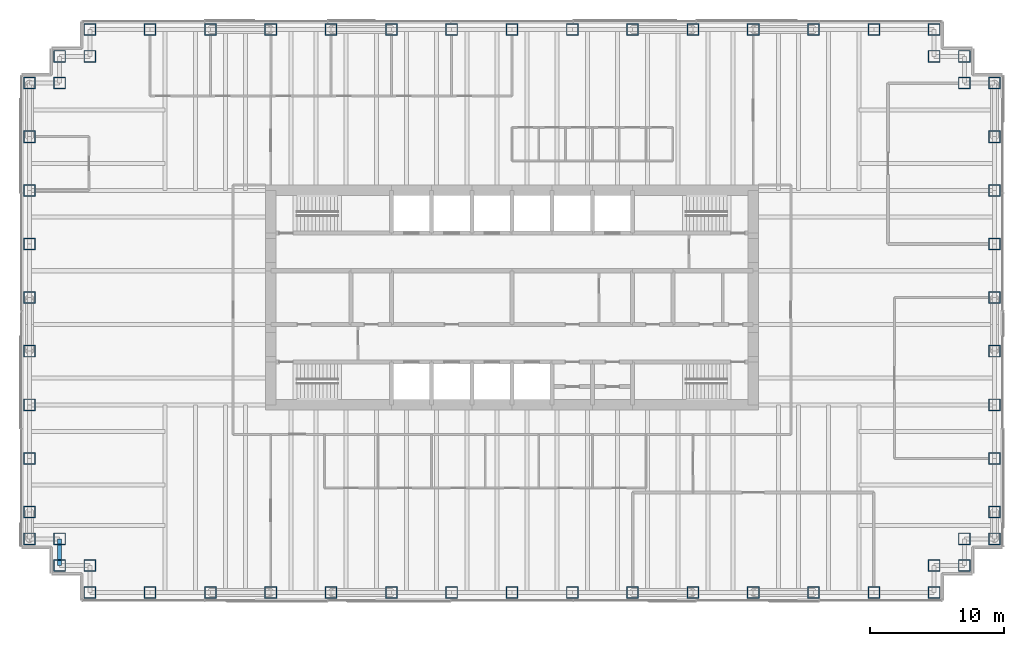
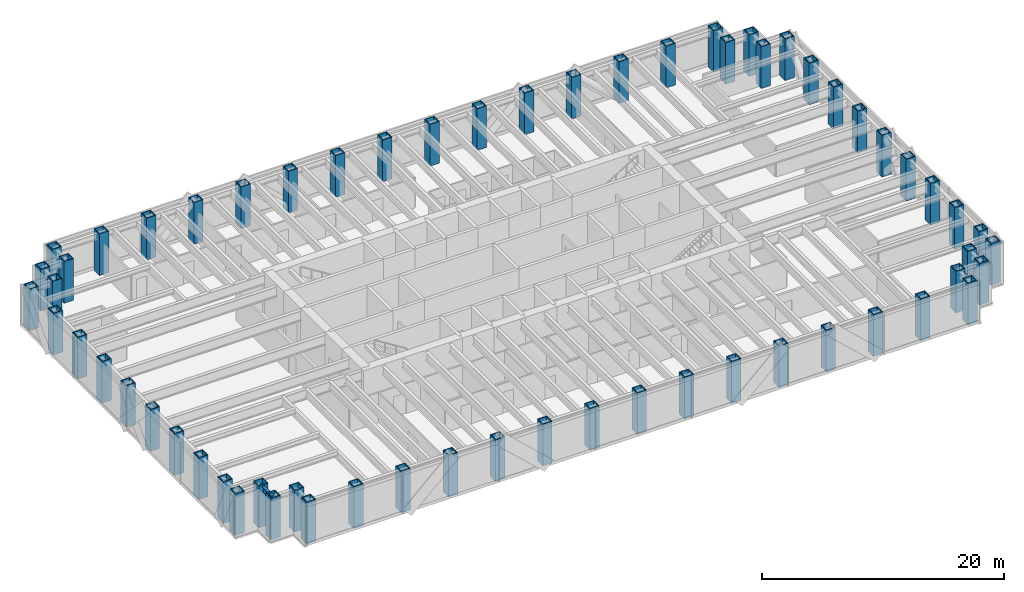
# One storey, part 1 of 14: 62 columns, 1 beam.
"""IFC4 building model written with IfcOpenShell, lengths in metres."""

from ifc_helpers import new_model, si_unit, direction, frame, origin, origin_2d, place, context, subcontext, project, spatial, hollow_rectangle, i_section, extrude, material, material_profile, profile_set, type_object, element, save


model = new_model("IFC4")

# Units and contexts
model_context = context("Model", 3, precision=1e-05, world=origin(), true_north=direction((0.0, 1.0)))
body_context = subcontext(model_context, "Body", "Model", "MODEL_VIEW")
ifc_project = project(units=[si_unit("LENGTHUNIT", "METRE"), si_unit("AREAUNIT", "SQUARE_METRE"), si_unit("VOLUMEUNIT", "CUBIC_METRE"), si_unit("PLANEANGLEUNIT", "RADIAN"), si_unit("MASSUNIT", "GRAM", prefix="KILO")], contexts=[model_context])

# Site, building, storey
site_placement = place(None, origin())
site = spatial("IfcSite", under=ifc_project, at=site_placement, CompositionType="ELEMENT")
building_placement = place(site_placement, origin())
building = spatial("IfcBuilding", under=site, at=building_placement, Name="Rheinbord Bourse Tower", CompositionType="ELEMENT")
storey_placement = place(building_placement, frame((0.0, 0.0, 253.0)))
storey = spatial("IfcBuildingStorey", under=building, at=storey_placement, Name="L57", CompositionType="ELEMENT", Elevation=253.0)

# Columns
ifc_material_1 = material(Name="Steel S460M", Category="steel")
ifc_material_profile_1 = material_profile(ifc_material_1, hollow_rectangle(XDim=0.89990234375, YDim=0.89990234375, WallThickness=0.070068359375, at=origin_2d()), Name="BOX 900x900x70")
ifc_profile_set_1 = profile_set([ifc_material_profile_1], Name="Steel S460M")
column_type = type_object("IfcColumnType", Name="TUBE COLUMN BOX 900x900x70", PredefinedType="COLUMN", material=ifc_profile_set_1)
for number, where, z_axis, x_axis, name in (
    (1, (4.5, 2.0, 0.0), (0.0, 0.0, 1.0), (0.0, 1.0, 0.0), "Column SW-E L57"),
    (2, (9.0, 2.0, 0.0), (0.0, 0.0, 1.0), (0.0, 1.0, 0.0), "Column S-9 L57"),
    (3, (13.5, 2.0, 0.0), (0.0, 0.0, 1.0), (0.0, 1.0, 0.0), "Column S-13.5 L57"),
    (4, (18.0, 2.0, 0.0), (0.0, 0.0, 1.0), (0.0, 1.0, 0.0), "Column S-18 L57"),
    (5, (22.5, 2.0, 0.0), (0.0, 0.0, 1.0), (0.0, 1.0, 0.0), "Column S-22.5 L57"),
    (6, (27.0, 2.0, 0.0), (0.0, 0.0, 1.0), (0.0, 1.0, 0.0), "Column S-27 L57"),
    (7, (31.5, 2.0, 0.0), (0.0, 0.0, 1.0), (0.0, 1.0, 0.0), "Column S-31.5 L57"),
    (8, (36.0, 2.0, 0.0), (0.0, 0.0, 1.0), (0.0, 1.0, 0.0), "Column S-36 L57"),
    (9, (40.5, 2.0, 0.0), (0.0, 0.0, 1.0), (0.0, 1.0, 0.0), "Column S-40.5 L57"),
    (10, (45.0, 2.0, 0.0), (0.0, 0.0, 1.0), (0.0, 1.0, 0.0), "Column S-45 L57"),
    (11, (49.5, 2.0, 0.0), (0.0, 0.0, 1.0), (0.0, 1.0, 0.0), "Column S-49.5 L57"),
    (12, (54.0, 2.0, 0.0), (0.0, 0.0, 1.0), (0.0, 1.0, 0.0), "Column S-54 L57"),
    (13, (58.5, 2.0, 0.0), (0.0, 0.0, 1.0), (0.0, 1.0, 0.0), "Column S-58.5 L57"),
    (14, (63.0, 2.0, 0.0), (0.0, 0.0, 1.0), (0.0, 1.0, 0.0), "Column S-63 L57"),
    (15, (67.5, 2.0, 0.0), (0.0, 0.0, 1.0), (0.0, 1.0, 0.0), "Column SE-E L57"),
    (16, (67.5, 4.0, 0.0), (0.0, 0.0, 1.0), (0.0, 1.0, 0.0), "Column SE-D L57"),
    (17, (69.75, 4.0, 0.0), (0.0, 0.0, 1.0), (1.0, 0.0, 0.0), "Column SE-C L57"),
    (18, (69.75, 6.0, 0.0), (0.0, 0.0, 1.0), (1.0, 0.0, 0.0), "Column SE-B L57"),
    (19, (72.0, 6.0, 0.0), (0.0, 0.0, 1.0), (1.0, 0.0, 0.0), "Column SE-A L57"),
    (20, (72.0, 8.0, 0.0), (0.0, 0.0, 1.0), (1.0, 0.0, 0.0), "Column E-8 L57"),
    (21, (72.0, 12.0, 0.0), (0.0, 0.0, 1.0), (1.0, 0.0, 0.0), "Column E-12 L57"),
    (22, (72.0, 16.0, 0.0), (0.0, 0.0, 1.0), (1.0, 0.0, 0.0), "Column E-16 L57"),
    (23, (72.0, 20.0, 0.0), (0.0, 0.0, 1.0), (1.0, 0.0, 0.0), "Column E-20 L57"),
    (24, (72.0, 24.0, 0.0), (0.0, 0.0, 1.0), (1.0, 0.0, 0.0), "Column E-24 L57"),
    (25, (72.0, 28.0, 0.0), (0.0, 0.0, 1.0), (1.0, 0.0, 0.0), "Column E-28 L57"),
    (26, (72.0, 32.0, 0.0), (0.0, 0.0, 1.0), (1.0, 0.0, 0.0), "Column E-32 L57"),
    (27, (72.0, 36.0, 0.0), (0.0, 0.0, 1.0), (1.0, 0.0, 0.0), "Column E-36 L57"),
    (28, (72.0, 40.0, 0.0), (0.0, 0.0, 1.0), (1.0, 0.0, 0.0), "Column NE-A L57"),
    (29, (69.75, 40.0, 0.0), (0.0, 0.0, 1.0), (1.0, 0.0, 0.0), "Column NE-B L57"),
    (30, (69.75, 42.0, 0.0), (0.0, 0.0, 1.0), (1.0, 0.0, 0.0), "Column NE-C L57"),
    (31, (67.5, 42.0, 0.0), (0.0, 0.0, 1.0), (0.0, 1.0, 0.0), "Column NE-D L57"),
    (32, (67.5, 44.0, 0.0), (0.0, 0.0, 1.0), (0.0, 1.0, 0.0), "Column NE-E L57"),
    (33, (63.0, 44.0, 0.0), (0.0, 0.0, 1.0), (0.0, 1.0, 0.0), "Column N-63 L57"),
    (34, (58.5, 44.0, 0.0), (0.0, 0.0, 1.0), (0.0, 1.0, 0.0), "Column N-58.5 L57"),
    (35, (54.0, 44.0, 0.0), (0.0, 0.0, 1.0), (0.0, 1.0, 0.0), "Column N-54 L57"),
    (36, (49.5, 44.0, 0.0), (0.0, 0.0, 1.0), (0.0, 1.0, 0.0), "Column N-49.5 L57"),
    (37, (45.0, 44.0, 0.0), (0.0, 0.0, 1.0), (0.0, 1.0, 0.0), "Column N-45 L57"),
    (38, (40.5, 44.0, 0.0), (0.0, 0.0, 1.0), (0.0, 1.0, 0.0), "Column N-40.5 L57"),
    (39, (36.0, 44.0, 0.0), (0.0, 0.0, 1.0), (0.0, 1.0, 0.0), "Column N-36 L57"),
    (40, (31.5, 44.0, 0.0), (0.0, 0.0, 1.0), (0.0, 1.0, 0.0), "Column N-31.5 L57"),
    (41, (27.0, 44.0, 0.0), (0.0, 0.0, 1.0), (0.0, 1.0, 0.0), "Column N-27 L57"),
    (42, (22.5, 44.0, 0.0), (0.0, 0.0, 1.0), (0.0, 1.0, 0.0), "Column N-22.5 L57"),
    (43, (18.0, 44.0, 0.0), (0.0, 0.0, 1.0), (0.0, 1.0, 0.0), "Column N-18 L57"),
    (44, (13.5, 44.0, 0.0), (0.0, 0.0, 1.0), (0.0, 1.0, 0.0), "Column N-13.5 L57"),
    (45, (9.0, 44.0, 0.0), (0.0, 0.0, 1.0), (0.0, 1.0, 0.0), "Column N-9 L57"),
    (46, (4.5, 44.0, 0.0), (0.0, 0.0, 1.0), (0.0, 1.0, 0.0), "Column NW-E L57"),
    (47, (4.5, 42.0, 0.0), (0.0, 0.0, 1.0), (0.0, 1.0, 0.0), "Column NW-D L57"),
    (48, (2.25, 42.0, 0.0), (0.0, 0.0, 1.0), (1.0, 0.0, 0.0), "Column NW-C L57"),
    (49, (2.25, 40.0, 0.0), (0.0, 0.0, 1.0), (1.0, 0.0, 0.0), "Column NW-B L57"),
    (50, (0.0, 40.0, 0.0), (0.0, 0.0, 1.0), (1.0, 0.0, 0.0), "Column NW-A L57"),
    (51, (0.0, 36.0, 0.0), (0.0, 0.0, 1.0), (1.0, 0.0, 0.0), "Column W-36 L57"),
    (52, (0.0, 32.0, 0.0), (0.0, 0.0, 1.0), (1.0, 0.0, 0.0), "Column W-32 L57"),
    (53, (0.0, 28.0, 0.0), (0.0, 0.0, 1.0), (1.0, 0.0, 0.0), "Column W-28 L57"),
    (54, (0.0, 24.0, 0.0), (0.0, 0.0, 1.0), (1.0, 0.0, 0.0), "Column W-24 L57"),
    (55, (0.0, 20.0, 0.0), (0.0, 0.0, 1.0), (1.0, 0.0, 0.0), "Column W-20 L57"),
    (56, (0.0, 16.0, 0.0), (0.0, 0.0, 1.0), (1.0, 0.0, 0.0), "Column W-16 L57"),
    (57, (0.0, 12.0, 0.0), (0.0, 0.0, 1.0), (1.0, 0.0, 0.0), "Column W-12 L57"),
    (58, (0.0, 8.0, 0.0), (0.0, 0.0, 1.0), (1.0, 0.0, 0.0), "Column W-8 L57"),
    (59, (0.0, 6.0, 0.0), (0.0, 0.0, 1.0), (1.0, 0.0, 0.0), "Column SW-A L57"),
    (60, (2.25, 6.0, 0.0), (0.0, 0.0, 1.0), (1.0, 0.0, 0.0), "Column SW-B L57"),
    (61, (2.25, 4.0, 0.0), (0.0, 0.0, 1.0), (1.0, 0.0, 0.0), "Column SW-C L57"),
    (62, (4.5, 4.0, 0.0), (0.0, 0.0, 1.0), (0.0, 1.0, 0.0), "Column SW-D L57"),
):
    element("IfcColumn", number, at=place(storey_placement, frame(where, z_axis=z_axis, x_axis=x_axis)), inside=storey, type_object=column_type, Name=name, PredefinedType="COLUMN", context=body_context, shape_type="SweptSolid", body=[
        extrude(hollow_rectangle(XDim=0.89990234375, YDim=0.89990234375, WallThickness=0.070068359375, at=origin_2d()), origin(), (0.0, 0.0, 1.0), 4.199951171875),
    ])

# Beam
ifc_material_2 = material(Name="Steel S460", Category="steel")
ifc_material_profile_2 = material_profile(ifc_material_2, i_section(OverallWidth=0.300048828125, OverallDepth=0.60009765625, WebThickness=0.015380859375, FlangeThickness=0.030029296875, at=origin_2d()), Name="HEB 600")
ifc_profile_set_2 = profile_set([ifc_material_profile_2], Name="Steel S460")
beam_type = type_object("IfcBeamType", Name="SPANDREL HEB 600", PredefinedType="SPANDREL", material=ifc_profile_set_2)
beam_placement = place(storey_placement, frame((2.25, 6.0, 3.739990234375), z_axis=(0.0, -1.0, 0.0), x_axis=(1.0, 0.0, 0.0)))
element("IfcBeam", 63, at=beam_placement, inside=storey, type_object=beam_type, Name="Spandrel SW-B-SW-C under L58", PredefinedType="SPANDREL", context=body_context, shape_type="SweptSolid", body=[
    extrude(i_section(OverallWidth=0.300048828125, OverallDepth=0.60009765625, WebThickness=0.015380859375, FlangeThickness=0.030029296875, at=origin_2d()), origin(), (0.0, 0.0, 1.0), 2.0),
])

save(model, "model.ifc")
